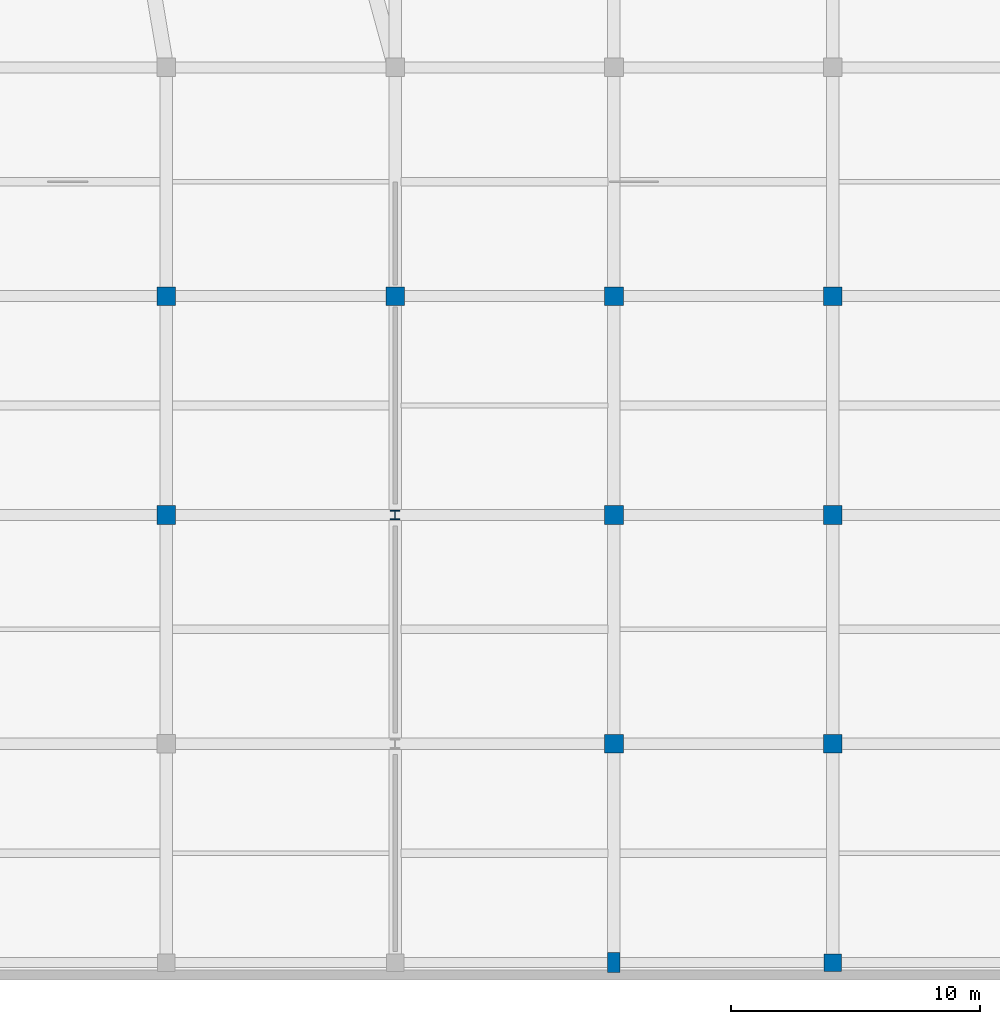
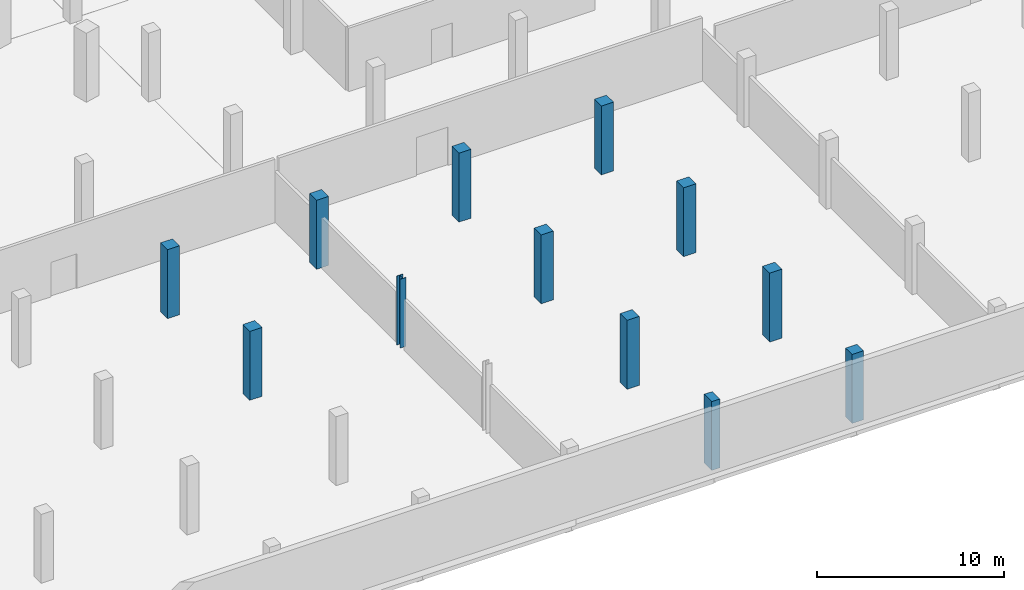
# One storey, part 5 of 31: 12 columns.
"""IFC4 building model written with IfcOpenShell, lengths in metres."""

from ifc_helpers import new_model, si_unit, direction, frame, origin, origin_2d, place, context, subcontext, project, spatial, rectangle, i_section, extrude, material, material_profile, profile_set, type_object, element, save


model = new_model("IFC4")

# Units and contexts
model_context = context("Model", 3, precision=1e-05, world=origin(), true_north=direction((0.0, 1.0)))
body_context = subcontext(model_context, "Body", "Model", "MODEL_VIEW")
ifc_project = project(units=[si_unit("LENGTHUNIT", "METRE"), si_unit("AREAUNIT", "SQUARE_METRE"), si_unit("VOLUMEUNIT", "CUBIC_METRE"), si_unit("PLANEANGLEUNIT", "RADIAN"), si_unit("MASSUNIT", "GRAM", prefix="KILO")], contexts=[model_context])

# Site, building, storey
site_placement = place(None, origin())
site = spatial("IfcSite", under=ifc_project, at=site_placement, CompositionType="ELEMENT")
building_placement = place(site_placement, origin())
building = spatial("IfcBuilding", under=site, at=building_placement, Name="Meriwether Solvik Hall", CompositionType="ELEMENT")
storey_placement = place(building_placement, frame((0.0, 0.0, -4.5)))
storey = spatial("IfcBuildingStorey", under=building, at=storey_placement, Name="B01", CompositionType="ELEMENT", Elevation=-4.5)

# Columns
ifc_material_1 = material(Name="Concrete C40/50", Category="concrete")
ifc_material_profile_1 = material_profile(ifc_material_1, rectangle(XDim=0.699951171875, YDim=0.699951171875, at=origin_2d()), Name="RCC-700X700")
ifc_profile_set_1 = profile_set([ifc_material_profile_1], Name="Concrete C40/50")
column_type_1 = type_object("IfcColumnType", Name="COL-RC-700", PredefinedType="COLUMN", material=ifc_profile_set_1)
column_1_placement = place(storey_placement, frame((131.800048828125, 5.199951171875, 0.0), z_axis=(0.0, 0.0, 1.0), x_axis=(1.0, 0.0, 0.0)))
element("IfcColumn", 1, at=column_1_placement, inside=storey, type_object=column_type_1, Name="Podium Column 15/A (B01)", PredefinedType="COLUMN", context=body_context, shape_type="SweptSolid", body=[
    extrude(rectangle(XDim=0.699951171875, YDim=0.699951171875, at=origin_2d()), origin(), (0.0, 0.0, 1.0), 4.5),
])
ifc_material_2 = material(Name="Concrete C40/50", Category="concrete")
ifc_material_profile_2 = material_profile(ifc_material_2, rectangle(XDim=0.75, YDim=0.75, at=origin_2d()), Name="RCC-750X750")
ifc_profile_set_2 = profile_set([ifc_material_profile_2], Name="Concrete C40/50")
column_type_2 = type_object("IfcColumnType", Name="COL-RC-750", PredefinedType="COLUMN", material=ifc_profile_set_2)
for number, where, z_axis, x_axis, name in (
    (2, (105.0, 23.199951171875, 0.0), (0.0, 0.0, 1.0), (1.0, 0.0, 0.0), "Podium Column 12/C (B01)"),
    (3, (105.0, 32.0, 0.0), (0.0, 0.0, 1.0), (1.0, 0.0, 0.0), "Podium Column 12/D (B01)"),
    (4, (114.199951171875, 32.0, 0.0), (0.0, 0.0, 1.0), (1.0, 0.0, 0.0), "Podium Column 13/D (B01)"),
    (5, (123.0, 14.0, 0.0), (0.0, 0.0, 1.0), (1.0, 0.0, 0.0), "Podium Column 14/B (B01)"),
    (6, (123.0, 23.199951171875, 0.0), (0.0, 0.0, 1.0), (1.0, 0.0, 0.0), "Podium Column 14/C (B01)"),
    (7, (123.0, 32.0, 0.0), (0.0, 0.0, 1.0), (1.0, 0.0, 0.0), "Podium Column 14/D (B01)"),
    (8, (131.800048828125, 14.0, 0.0), (0.0, 0.0, 1.0), (1.0, 0.0, 0.0), "Podium Column 15/B (B01)"),
    (9, (131.800048828125, 23.199951171875, 0.0), (0.0, 0.0, 1.0), (1.0, 0.0, 0.0), "Podium Column 15/C (B01)"),
    (10, (131.800048828125, 32.0, 0.0), (0.0, 0.0, 1.0), (1.0, 0.0, 0.0), "Podium Column 15/D (B01)"),
):
    element("IfcColumn", number, at=place(storey_placement, frame(where, z_axis=z_axis, x_axis=x_axis)), inside=storey, type_object=column_type_2, Name=name, PredefinedType="COLUMN", context=body_context, shape_type="SweptSolid", body=[
        extrude(rectangle(XDim=0.75, YDim=0.75, at=origin_2d()), origin(), (0.0, 0.0, 1.0), 4.5),
    ])
ifc_material_3 = material(Name="Steel A992 Grade 50", Category="steel")
ifc_material_profile_3 = material_profile(ifc_material_3, i_section(OverallWidth=0.3740234375, OverallDepth=0.3720703125, WebThickness=0.016357421875, FlangeThickness=0.026123046875, at=origin_2d()), Name="W14X132")
ifc_profile_set_3 = profile_set([ifc_material_profile_3], Name="Steel A992 Grade 50")
column_type_3 = type_object("IfcColumnType", Name="COL-STL-W14X132", PredefinedType="COLUMN", material=ifc_profile_set_3)
column_2_placement = place(storey_placement, frame((114.199951171875, 23.199951171875, 0.0), z_axis=(0.0, 0.0, 1.0), x_axis=(1.0, 0.0, 0.0)))
element("IfcColumn", 11, at=column_2_placement, inside=storey, type_object=column_type_3, Name="Podium Column 13/C (B01)", PredefinedType="COLUMN", context=body_context, shape_type="SweptSolid", body=[
    extrude(i_section(OverallWidth=0.3740234375, OverallDepth=0.3720703125, WebThickness=0.016357421875, FlangeThickness=0.026123046875, at=origin_2d()), origin(), (0.0, 0.0, 1.0), 4.5),
])
ifc_material_4 = material(Name="Concrete C40/50", Category="concrete")
ifc_material_profile_4 = material_profile(ifc_material_4, rectangle(XDim=0.5, YDim=0.800048828125, at=origin_2d()), Name="RCP-500X800")
ifc_profile_set_4 = profile_set([ifc_material_profile_4], Name="Concrete C40/50")
column_type_4 = type_object("IfcColumnType", Name="PIL-RC-500X800", PredefinedType="PILASTER", material=ifc_profile_set_4)
column_3_placement = place(storey_placement, frame((123.0, 5.199951171875, 0.0), z_axis=(0.0, 0.0, 1.0), x_axis=(1.0, 0.0, 0.0)))
element("IfcColumn", 12, at=column_3_placement, inside=storey, type_object=column_type_4, Name="Podium Column 14/A (B01)", PredefinedType="PILASTER", context=body_context, shape_type="SweptSolid", body=[
    extrude(rectangle(XDim=0.5, YDim=0.800048828125, at=origin_2d()), origin(), (0.0, 0.0, 1.0), 4.5),
])

save(model, "model.ifc")
